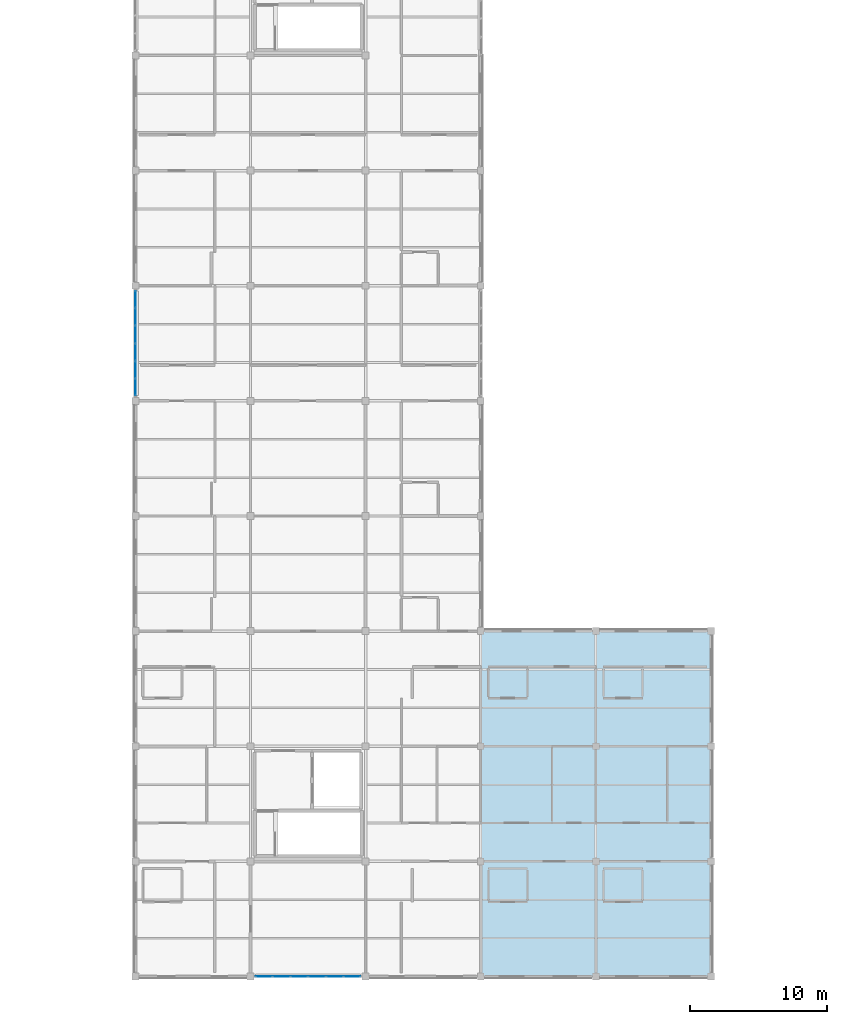
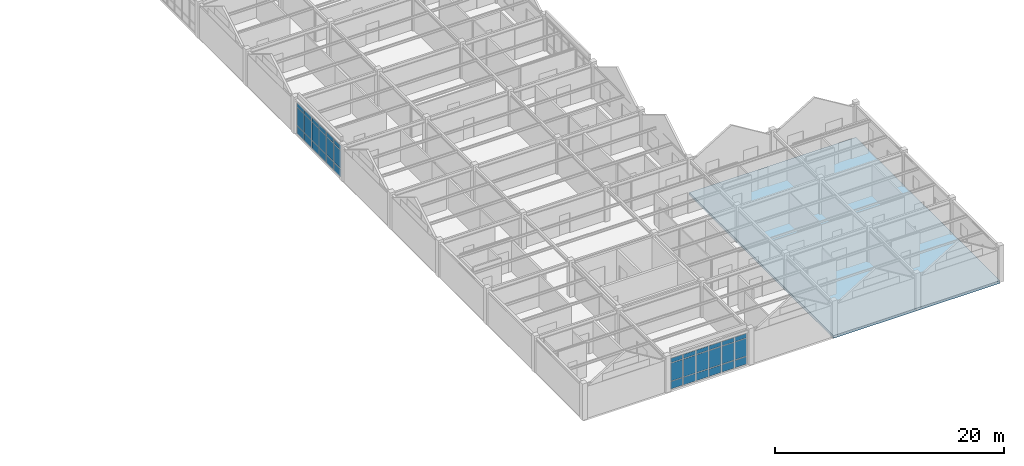
# One storey, part 27 of 45: 36 plates, 1 slab, 2 elements without a shape of their own.
"""IFC4 building model written with IfcOpenShell, lengths in metres."""

from ifc_helpers import new_model, si_unit, direction, frame, origin, origin_2d, place, context, subcontext, project, spatial, polyline, rectangle, outline, extrude, material, layer, layer_set, type_object, element, aggregate, save


model = new_model("IFC4")

# Units and contexts
model_context = context("Model", 3, precision=1e-05, world=origin(), true_north=direction((0.0, 1.0)))
body_context = subcontext(model_context, "Body", "Model", "MODEL_VIEW")
ifc_project = project(units=[si_unit("LENGTHUNIT", "METRE"), si_unit("AREAUNIT", "SQUARE_METRE"), si_unit("VOLUMEUNIT", "CUBIC_METRE"), si_unit("PLANEANGLEUNIT", "RADIAN"), si_unit("MASSUNIT", "GRAM", prefix="KILO")], contexts=[model_context])

# Site, building, storey
site_placement = place(None, origin())
site = spatial("IfcSite", under=ifc_project, at=site_placement, CompositionType="ELEMENT")
building_placement = place(site_placement, origin())
building = spatial("IfcBuilding", under=site, at=building_placement, Name="Bramfleet General Hospital", CompositionType="ELEMENT")
storey_placement = place(building_placement, frame((0.0, 0.0, 30.300048828125)))
storey = spatial("IfcBuildingStorey", under=building, at=storey_placement, Name="L07", CompositionType="ELEMENT", Elevation=30.300048828125)

# Curtain wall, plates
ifc_material_1 = material(Name="Anodised aluminium and low-E triple glazing", Category="aluminium")
ifc_layer_1 = layer(ifc_material_1, 0.179931640625, Name="CWT-CW-17")
ifc_layer_set_1 = layer_set([ifc_layer_1], Name="Anodised aluminium and low-E triple glazing")
curtain_wall_type_1 = type_object("IfcCurtainWallType", Name="CWT-CW-17", PredefinedType="USERDEFINED", material=ifc_layer_set_1)
curtain_wall_1_placement = place(storey_placement, origin())
curtain_wall_1 = element("IfcCurtainWall", 1, at=curtain_wall_1_placement, inside=storey, type_object=curtain_wall_type_1, Name="L07 Curtain Wall 233", ObjectType="Stick curtain wall", PredefinedType="USERDEFINED")
ifc_material_2 = material(Name="Low-E laminated safety glass", Category="glass")
ifc_layer_2 = layer(ifc_material_2, 0.028076171875, Name="CWP-GLZ-1")
ifc_layer_set_2 = layer_set([ifc_layer_2], Name="Low-E laminated safety glass")
plate_type_1 = type_object("IfcPlateType", Name="CWP-GLZ-1", PredefinedType="CURTAIN_PANEL", material=ifc_layer_set_2)
plate_1_placement = place(storey_placement, frame((92.39990234375, 42.98828125, 0.06494140625), z_axis=(0.0, 0.0, 1.0), x_axis=(0.0, 1.0, 0.0)))
plate_1 = element("IfcPlate", 2, at=plate_1_placement, type_object=plate_type_1, Name="CW-17 panel 1.1", PredefinedType="CURTAIN_PANEL", context=body_context, shape_type="SweptSolid", body=[
    extrude(rectangle(XDim=1.186767578125, YDim=0.028076171875, at=origin_2d()), origin(), (0.0, 0.0, 1.0), 0.802490234375),
])
plate_2_placement = place(storey_placement, frame((92.39990234375, 42.98828125, 0.9326171875), z_axis=(0.0, 0.0, 1.0), x_axis=(0.0, 1.0, 0.0)))
plate_2 = element("IfcPlate", 3, at=plate_2_placement, type_object=plate_type_1, Name="CW-17 panel 1.2", PredefinedType="CURTAIN_PANEL", context=body_context, shape_type="SweptSolid", body=[
    extrude(rectangle(XDim=1.186767578125, YDim=0.028076171875, at=origin_2d()), origin(), (0.0, 0.0, 1.0), 1.905029296875),
])
plate_3_placement = place(storey_placement, frame((92.39990234375, 42.98828125, 2.90234375), z_axis=(0.0, 0.0, 1.0), x_axis=(0.0, 1.0, 0.0)))
plate_3 = element("IfcPlate", 4, at=plate_3_placement, type_object=plate_type_1, Name="CW-17 panel 1.3", PredefinedType="CURTAIN_PANEL", context=body_context, shape_type="SweptSolid", body=[
    extrude(rectangle(XDim=1.186767578125, YDim=0.028076171875, at=origin_2d()), origin(), (0.0, 0.0, 1.0), 0.452392578125),
])
plate_4_placement = place(storey_placement, frame((92.39990234375, 44.262451171875, 0.06494140625), z_axis=(0.0, 0.0, 1.0), x_axis=(0.0, 1.0, 0.0)))
plate_4 = element("IfcPlate", 5, at=plate_4_placement, type_object=plate_type_1, Name="CW-17 panel 2.1", PredefinedType="CURTAIN_PANEL", context=body_context, shape_type="SweptSolid", body=[
    extrude(rectangle(XDim=1.2216796875, YDim=0.028076171875, at=origin_2d()), origin(), (0.0, 0.0, 1.0), 0.802490234375),
])
plate_5_placement = place(storey_placement, frame((92.39990234375, 44.262451171875, 0.9326171875), z_axis=(0.0, 0.0, 1.0), x_axis=(0.0, 1.0, 0.0)))
plate_5 = element("IfcPlate", 6, at=plate_5_placement, type_object=plate_type_1, Name="CW-17 panel 2.2", PredefinedType="CURTAIN_PANEL", context=body_context, shape_type="SweptSolid", body=[
    extrude(rectangle(XDim=1.2216796875, YDim=0.028076171875, at=origin_2d()), origin(), (0.0, 0.0, 1.0), 1.905029296875),
])
plate_6_placement = place(storey_placement, frame((92.39990234375, 44.262451171875, 2.90234375), z_axis=(0.0, 0.0, 1.0), x_axis=(0.0, 1.0, 0.0)))
plate_6 = element("IfcPlate", 7, at=plate_6_placement, type_object=plate_type_1, Name="CW-17 panel 2.3", PredefinedType="CURTAIN_PANEL", context=body_context, shape_type="SweptSolid", body=[
    extrude(rectangle(XDim=1.2216796875, YDim=0.028076171875, at=origin_2d()), origin(), (0.0, 0.0, 1.0), 0.452392578125),
])
plate_7_placement = place(storey_placement, frame((92.39990234375, 45.55419921875, 0.06494140625), z_axis=(0.0, 0.0, 1.0), x_axis=(0.0, 1.0, 0.0)))
plate_7 = element("IfcPlate", 8, at=plate_7_placement, type_object=plate_type_1, Name="CW-17 panel 3.1", PredefinedType="CURTAIN_PANEL", context=body_context, shape_type="SweptSolid", body=[
    extrude(rectangle(XDim=1.2216796875, YDim=0.028076171875, at=origin_2d()), origin(), (0.0, 0.0, 1.0), 0.802490234375),
])
plate_8_placement = place(storey_placement, frame((92.39990234375, 45.55419921875, 0.9326171875), z_axis=(0.0, 0.0, 1.0), x_axis=(0.0, 1.0, 0.0)))
plate_8 = element("IfcPlate", 9, at=plate_8_placement, type_object=plate_type_1, Name="CW-17 panel 3.2", PredefinedType="CURTAIN_PANEL", context=body_context, shape_type="SweptSolid", body=[
    extrude(rectangle(XDim=1.2216796875, YDim=0.028076171875, at=origin_2d()), origin(), (0.0, 0.0, 1.0), 1.905029296875),
])
plate_9_placement = place(storey_placement, frame((92.39990234375, 45.55419921875, 2.90234375), z_axis=(0.0, 0.0, 1.0), x_axis=(0.0, 1.0, 0.0)))
plate_9 = element("IfcPlate", 10, at=plate_9_placement, type_object=plate_type_1, Name="CW-17 panel 3.3", PredefinedType="CURTAIN_PANEL", context=body_context, shape_type="SweptSolid", body=[
    extrude(rectangle(XDim=1.2216796875, YDim=0.028076171875, at=origin_2d()), origin(), (0.0, 0.0, 1.0), 0.452392578125),
])
plate_10_placement = place(storey_placement, frame((92.39990234375, 46.845947265625, 0.06494140625), z_axis=(0.0, 0.0, 1.0), x_axis=(0.0, 1.0, 0.0)))
plate_10 = element("IfcPlate", 11, at=plate_10_placement, type_object=plate_type_1, Name="CW-17 panel 4.1", PredefinedType="CURTAIN_PANEL", context=body_context, shape_type="SweptSolid", body=[
    extrude(rectangle(XDim=1.2216796875, YDim=0.028076171875, at=origin_2d()), origin(), (0.0, 0.0, 1.0), 0.802490234375),
])
plate_11_placement = place(storey_placement, frame((92.39990234375, 46.845947265625, 0.9326171875), z_axis=(0.0, 0.0, 1.0), x_axis=(0.0, 1.0, 0.0)))
plate_11 = element("IfcPlate", 12, at=plate_11_placement, type_object=plate_type_1, Name="CW-17 panel 4.2", PredefinedType="CURTAIN_PANEL", context=body_context, shape_type="SweptSolid", body=[
    extrude(rectangle(XDim=1.2216796875, YDim=0.028076171875, at=origin_2d()), origin(), (0.0, 0.0, 1.0), 1.905029296875),
])
plate_12_placement = place(storey_placement, frame((92.39990234375, 46.845947265625, 2.90234375), z_axis=(0.0, 0.0, 1.0), x_axis=(0.0, 1.0, 0.0)))
plate_12 = element("IfcPlate", 13, at=plate_12_placement, type_object=plate_type_1, Name="CW-17 panel 4.3", PredefinedType="CURTAIN_PANEL", context=body_context, shape_type="SweptSolid", body=[
    extrude(rectangle(XDim=1.2216796875, YDim=0.028076171875, at=origin_2d()), origin(), (0.0, 0.0, 1.0), 0.452392578125),
])
plate_13_placement = place(storey_placement, frame((92.39990234375, 48.137451171875, 0.06494140625), z_axis=(0.0, 0.0, 1.0), x_axis=(0.0, 1.0, 0.0)))
plate_13 = element("IfcPlate", 14, at=plate_13_placement, type_object=plate_type_1, Name="CW-17 panel 5.1", PredefinedType="CURTAIN_PANEL", context=body_context, shape_type="SweptSolid", body=[
    extrude(rectangle(XDim=1.2216796875, YDim=0.028076171875, at=origin_2d()), origin(), (0.0, 0.0, 1.0), 0.802490234375),
])
plate_14_placement = place(storey_placement, frame((92.39990234375, 48.137451171875, 0.9326171875), z_axis=(0.0, 0.0, 1.0), x_axis=(0.0, 1.0, 0.0)))
plate_14 = element("IfcPlate", 15, at=plate_14_placement, type_object=plate_type_1, Name="CW-17 panel 5.2", PredefinedType="CURTAIN_PANEL", context=body_context, shape_type="SweptSolid", body=[
    extrude(rectangle(XDim=1.2216796875, YDim=0.028076171875, at=origin_2d()), origin(), (0.0, 0.0, 1.0), 1.905029296875),
])
plate_15_placement = place(storey_placement, frame((92.39990234375, 48.137451171875, 2.90234375), z_axis=(0.0, 0.0, 1.0), x_axis=(0.0, 1.0, 0.0)))
plate_15 = element("IfcPlate", 16, at=plate_15_placement, type_object=plate_type_1, Name="CW-17 panel 5.3", PredefinedType="CURTAIN_PANEL", context=body_context, shape_type="SweptSolid", body=[
    extrude(rectangle(XDim=1.2216796875, YDim=0.028076171875, at=origin_2d()), origin(), (0.0, 0.0, 1.0), 0.452392578125),
])
plate_16_placement = place(storey_placement, frame((92.39990234375, 49.41162109375, 0.06494140625), z_axis=(0.0, 0.0, 1.0), x_axis=(0.0, 1.0, 0.0)))
plate_16 = element("IfcPlate", 17, at=plate_16_placement, type_object=plate_type_1, Name="CW-17 panel 6.1", PredefinedType="CURTAIN_PANEL", context=body_context, shape_type="SweptSolid", body=[
    extrude(rectangle(XDim=1.186767578125, YDim=0.028076171875, at=origin_2d()), origin(), (0.0, 0.0, 1.0), 0.802490234375),
])
plate_17_placement = place(storey_placement, frame((92.39990234375, 49.41162109375, 0.9326171875), z_axis=(0.0, 0.0, 1.0), x_axis=(0.0, 1.0, 0.0)))
plate_17 = element("IfcPlate", 18, at=plate_17_placement, type_object=plate_type_1, Name="CW-17 panel 6.2", PredefinedType="CURTAIN_PANEL", context=body_context, shape_type="SweptSolid", body=[
    extrude(rectangle(XDim=1.186767578125, YDim=0.028076171875, at=origin_2d()), origin(), (0.0, 0.0, 1.0), 1.905029296875),
])
plate_18_placement = place(storey_placement, frame((92.39990234375, 49.41162109375, 2.90234375), z_axis=(0.0, 0.0, 1.0), x_axis=(0.0, 1.0, 0.0)))
plate_18 = element("IfcPlate", 19, at=plate_18_placement, type_object=plate_type_1, Name="CW-17 panel 6.3", PredefinedType="CURTAIN_PANEL", context=body_context, shape_type="SweptSolid", body=[
    extrude(rectangle(XDim=1.186767578125, YDim=0.028076171875, at=origin_2d()), origin(), (0.0, 0.0, 1.0), 0.452392578125),
])
aggregate(curtain_wall_1, [plate_1, plate_2, plate_3, plate_4, plate_5, plate_6, plate_7, plate_8, plate_9, plate_10, plate_11, plate_12, plate_13, plate_14, plate_15, plate_16, plate_17, plate_18])

ifc_layer_3 = layer(ifc_material_1, 0.179931640625, Name="CWT-CW-16")
ifc_layer_set_3 = layer_set([ifc_layer_3], Name="Anodised aluminium and low-E triple glazing")
curtain_wall_type_2 = type_object("IfcCurtainWallType", Name="CWT-CW-16", PredefinedType="USERDEFINED", material=ifc_layer_set_3)
curtain_wall_2_placement = place(storey_placement, origin())
curtain_wall_2 = element("IfcCurtainWall", 20, at=curtain_wall_2_placement, inside=storey, type_object=curtain_wall_type_2, Name="L07 Curtain Wall 232", ObjectType="Stick curtain wall", PredefinedType="USERDEFINED")
ifc_layer_4 = layer(ifc_material_2, 0.0419921875, Name="CWP-GLZ-4")
ifc_layer_set_4 = layer_set([ifc_layer_4], Name="Low-E laminated safety glass")
plate_type_2 = type_object("IfcPlateType", Name="CWP-GLZ-4", PredefinedType="CURTAIN_PANEL", material=ifc_layer_set_4)
plate_19_placement = place(storey_placement, frame((108.211669921875, 0.0, 0.06494140625), z_axis=(0.0, 0.0, 1.0), x_axis=(-1.0, 0.0, 0.0)))
plate_19 = element("IfcPlate", 21, at=plate_19_placement, type_object=plate_type_2, Name="CW-16 panel 1.1", PredefinedType="CURTAIN_PANEL", context=body_context, shape_type="SweptSolid", body=[
    extrude(rectangle(XDim=1.186767578125, YDim=0.0419921875, at=origin_2d()), origin(), (0.0, 0.0, 1.0), 0.802490234375),
])
plate_20_placement = place(storey_placement, frame((108.211669921875, 0.0, 0.9326171875), z_axis=(0.0, 0.0, 1.0), x_axis=(-1.0, 0.0, 0.0)))
plate_20 = element("IfcPlate", 22, at=plate_20_placement, type_object=plate_type_2, Name="CW-16 panel 1.2", PredefinedType="CURTAIN_PANEL", context=body_context, shape_type="SweptSolid", body=[
    extrude(rectangle(XDim=1.186767578125, YDim=0.0419921875, at=origin_2d()), origin(), (0.0, 0.0, 1.0), 1.885009765625),
])
plate_21_placement = place(storey_placement, frame((108.211669921875, 0.0, 2.88232421875), z_axis=(0.0, 0.0, 1.0), x_axis=(-1.0, 0.0, 0.0)))
plate_21 = element("IfcPlate", 23, at=plate_21_placement, type_object=plate_type_2, Name="CW-16 panel 1.3", PredefinedType="CURTAIN_PANEL", context=body_context, shape_type="SweptSolid", body=[
    extrude(rectangle(XDim=1.186767578125, YDim=0.0419921875, at=origin_2d()), origin(), (0.0, 0.0, 1.0), 0.452392578125),
])
plate_22_placement = place(storey_placement, frame((106.9375, 0.0, 0.06494140625), z_axis=(0.0, 0.0, 1.0), x_axis=(-1.0, 0.0, 0.0)))
plate_22 = element("IfcPlate", 24, at=plate_22_placement, type_object=plate_type_2, Name="CW-16 panel 2.1", PredefinedType="CURTAIN_PANEL", context=body_context, shape_type="SweptSolid", body=[
    extrude(rectangle(XDim=1.2216796875, YDim=0.0419921875, at=origin_2d()), origin(), (0.0, 0.0, 1.0), 0.802490234375),
])
plate_23_placement = place(storey_placement, frame((106.9375, 0.0, 0.9326171875), z_axis=(0.0, 0.0, 1.0), x_axis=(-1.0, 0.0, 0.0)))
plate_23 = element("IfcPlate", 25, at=plate_23_placement, type_object=plate_type_2, Name="CW-16 panel 2.2", PredefinedType="CURTAIN_PANEL", context=body_context, shape_type="SweptSolid", body=[
    extrude(rectangle(XDim=1.2216796875, YDim=0.0419921875, at=origin_2d()), origin(), (0.0, 0.0, 1.0), 1.885009765625),
])
plate_24_placement = place(storey_placement, frame((106.9375, 0.0, 2.88232421875), z_axis=(0.0, 0.0, 1.0), x_axis=(-1.0, 0.0, 0.0)))
plate_24 = element("IfcPlate", 26, at=plate_24_placement, type_object=plate_type_2, Name="CW-16 panel 2.3", PredefinedType="CURTAIN_PANEL", context=body_context, shape_type="SweptSolid", body=[
    extrude(rectangle(XDim=1.2216796875, YDim=0.0419921875, at=origin_2d()), origin(), (0.0, 0.0, 1.0), 0.452392578125),
])
plate_25_placement = place(storey_placement, frame((105.645751953125, 0.0, 0.06494140625), z_axis=(0.0, 0.0, 1.0), x_axis=(-1.0, 0.0, 0.0)))
plate_25 = element("IfcPlate", 27, at=plate_25_placement, type_object=plate_type_2, Name="CW-16 panel 3.1", PredefinedType="CURTAIN_PANEL", context=body_context, shape_type="SweptSolid", body=[
    extrude(rectangle(XDim=1.2216796875, YDim=0.0419921875, at=origin_2d()), origin(), (0.0, 0.0, 1.0), 0.802490234375),
])
plate_26_placement = place(storey_placement, frame((105.645751953125, 0.0, 0.9326171875), z_axis=(0.0, 0.0, 1.0), x_axis=(-1.0, 0.0, 0.0)))
plate_26 = element("IfcPlate", 28, at=plate_26_placement, type_object=plate_type_2, Name="CW-16 panel 3.2", PredefinedType="CURTAIN_PANEL", context=body_context, shape_type="SweptSolid", body=[
    extrude(rectangle(XDim=1.2216796875, YDim=0.0419921875, at=origin_2d()), origin(), (0.0, 0.0, 1.0), 1.885009765625),
])
plate_27_placement = place(storey_placement, frame((105.645751953125, 0.0, 2.88232421875), z_axis=(0.0, 0.0, 1.0), x_axis=(-1.0, 0.0, 0.0)))
plate_27 = element("IfcPlate", 29, at=plate_27_placement, type_object=plate_type_2, Name="CW-16 panel 3.3", PredefinedType="CURTAIN_PANEL", context=body_context, shape_type="SweptSolid", body=[
    extrude(rectangle(XDim=1.2216796875, YDim=0.0419921875, at=origin_2d()), origin(), (0.0, 0.0, 1.0), 0.452392578125),
])
plate_28_placement = place(storey_placement, frame((104.354248046875, 0.0, 0.06494140625), z_axis=(0.0, 0.0, 1.0), x_axis=(-1.0, 0.0, 0.0)))
plate_28 = element("IfcPlate", 30, at=plate_28_placement, type_object=plate_type_2, Name="CW-16 panel 4.1", PredefinedType="CURTAIN_PANEL", context=body_context, shape_type="SweptSolid", body=[
    extrude(rectangle(XDim=1.2216796875, YDim=0.0419921875, at=origin_2d()), origin(), (0.0, 0.0, 1.0), 0.802490234375),
])
plate_29_placement = place(storey_placement, frame((104.354248046875, 0.0, 0.9326171875), z_axis=(0.0, 0.0, 1.0), x_axis=(-1.0, 0.0, 0.0)))
plate_29 = element("IfcPlate", 31, at=plate_29_placement, type_object=plate_type_2, Name="CW-16 panel 4.2", PredefinedType="CURTAIN_PANEL", context=body_context, shape_type="SweptSolid", body=[
    extrude(rectangle(XDim=1.2216796875, YDim=0.0419921875, at=origin_2d()), origin(), (0.0, 0.0, 1.0), 1.885009765625),
])
plate_30_placement = place(storey_placement, frame((104.354248046875, 0.0, 2.88232421875), z_axis=(0.0, 0.0, 1.0), x_axis=(-1.0, 0.0, 0.0)))
plate_30 = element("IfcPlate", 32, at=plate_30_placement, type_object=plate_type_2, Name="CW-16 panel 4.3", PredefinedType="CURTAIN_PANEL", context=body_context, shape_type="SweptSolid", body=[
    extrude(rectangle(XDim=1.2216796875, YDim=0.0419921875, at=origin_2d()), origin(), (0.0, 0.0, 1.0), 0.452392578125),
])
plate_31_placement = place(storey_placement, frame((103.0625, 0.0, 0.06494140625), z_axis=(0.0, 0.0, 1.0), x_axis=(-1.0, 0.0, 0.0)))
plate_31 = element("IfcPlate", 33, at=plate_31_placement, type_object=plate_type_2, Name="CW-16 panel 5.1", PredefinedType="CURTAIN_PANEL", context=body_context, shape_type="SweptSolid", body=[
    extrude(rectangle(XDim=1.2216796875, YDim=0.0419921875, at=origin_2d()), origin(), (0.0, 0.0, 1.0), 0.802490234375),
])
plate_32_placement = place(storey_placement, frame((103.0625, 0.0, 0.9326171875), z_axis=(0.0, 0.0, 1.0), x_axis=(-1.0, 0.0, 0.0)))
plate_32 = element("IfcPlate", 34, at=plate_32_placement, type_object=plate_type_2, Name="CW-16 panel 5.2", PredefinedType="CURTAIN_PANEL", context=body_context, shape_type="SweptSolid", body=[
    extrude(rectangle(XDim=1.2216796875, YDim=0.0419921875, at=origin_2d()), origin(), (0.0, 0.0, 1.0), 1.885009765625),
])
plate_33_placement = place(storey_placement, frame((103.0625, 0.0, 2.88232421875), z_axis=(0.0, 0.0, 1.0), x_axis=(-1.0, 0.0, 0.0)))
plate_33 = element("IfcPlate", 35, at=plate_33_placement, type_object=plate_type_2, Name="CW-16 panel 5.3", PredefinedType="CURTAIN_PANEL", context=body_context, shape_type="SweptSolid", body=[
    extrude(rectangle(XDim=1.2216796875, YDim=0.0419921875, at=origin_2d()), origin(), (0.0, 0.0, 1.0), 0.452392578125),
])
plate_34_placement = place(storey_placement, frame((101.788330078125, 0.0, 0.06494140625), z_axis=(0.0, 0.0, 1.0), x_axis=(-1.0, 0.0, 0.0)))
plate_34 = element("IfcPlate", 36, at=plate_34_placement, type_object=plate_type_2, Name="CW-16 panel 6.1", PredefinedType="CURTAIN_PANEL", context=body_context, shape_type="SweptSolid", body=[
    extrude(rectangle(XDim=1.186767578125, YDim=0.0419921875, at=origin_2d()), origin(), (0.0, 0.0, 1.0), 0.802490234375),
])
plate_35_placement = place(storey_placement, frame((101.788330078125, 0.0, 0.9326171875), z_axis=(0.0, 0.0, 1.0), x_axis=(-1.0, 0.0, 0.0)))
plate_35 = element("IfcPlate", 37, at=plate_35_placement, type_object=plate_type_2, Name="CW-16 panel 6.2", PredefinedType="CURTAIN_PANEL", context=body_context, shape_type="SweptSolid", body=[
    extrude(rectangle(XDim=1.186767578125, YDim=0.0419921875, at=origin_2d()), origin(), (0.0, 0.0, 1.0), 1.885009765625),
])
plate_36_placement = place(storey_placement, frame((101.788330078125, 0.0, 2.88232421875), z_axis=(0.0, 0.0, 1.0), x_axis=(-1.0, 0.0, 0.0)))
plate_36 = element("IfcPlate", 38, at=plate_36_placement, type_object=plate_type_2, Name="CW-16 panel 6.3", PredefinedType="CURTAIN_PANEL", context=body_context, shape_type="SweptSolid", body=[
    extrude(rectangle(XDim=1.186767578125, YDim=0.0419921875, at=origin_2d()), origin(), (0.0, 0.0, 1.0), 0.452392578125),
])
aggregate(curtain_wall_2, [plate_19, plate_20, plate_21, plate_22, plate_23, plate_24, plate_25, plate_26, plate_27, plate_28, plate_29, plate_30, plate_31, plate_32, plate_33, plate_34, plate_35, plate_36])

# Slab
ifc_material_3 = material(Name="Concrete C35/45", Category="concrete")
ifc_layer_5 = layer(ifc_material_3, 0.280029296875, Name="SL-FLR-280")
ifc_layer_set_5 = layer_set([ifc_layer_5], Name="Concrete C35/45")
slab_type = type_object("IfcSlabType", Name="SL-FLR-280", PredefinedType="FLOOR", material=ifc_layer_set_5)
slab_placement = place(storey_placement, frame((0.0, 0.0, -0.280029296875)))
element("IfcSlab", 39, at=slab_placement, inside=storey, type_object=slab_type, Name="L07 Structural Floor Slab (EAST)", PredefinedType="FLOOR", context=body_context, shape_type="SweptSolid", body=[
    extrude(outline(polyline([(126.0, 25.199951171875), (134.39990234375, 25.199951171875), (134.39990234375, 16.800048828125), (134.39990234375, 8.39990234375), (134.39990234375, 0.0), (126.0, 0.0), (117.60009765625, 0.0), (117.60009765625, 25.199951171875), (126.0, 25.199951171875)])), origin(), (0.0, 0.0, 1.0), 0.280029296875),
])

save(model, "model.ifc")
